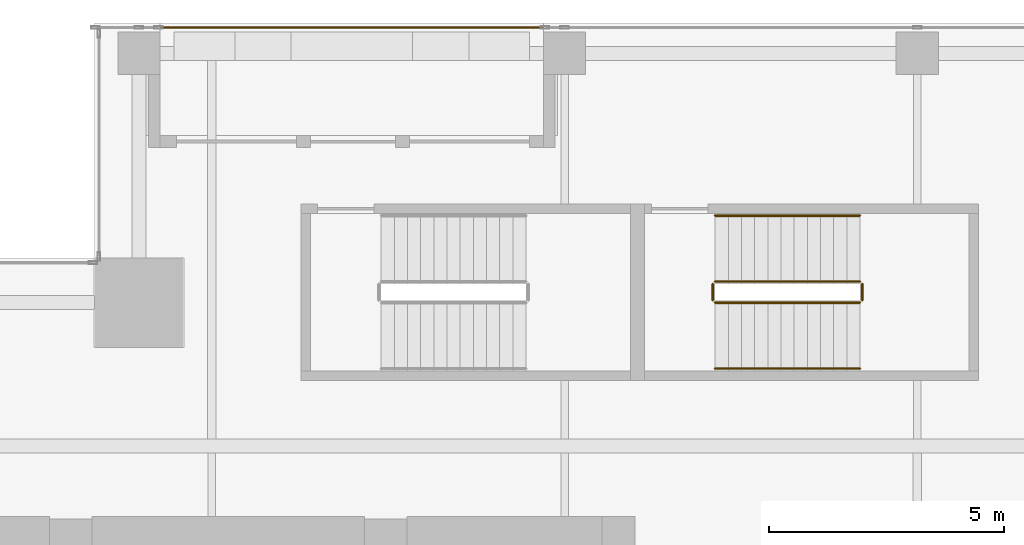
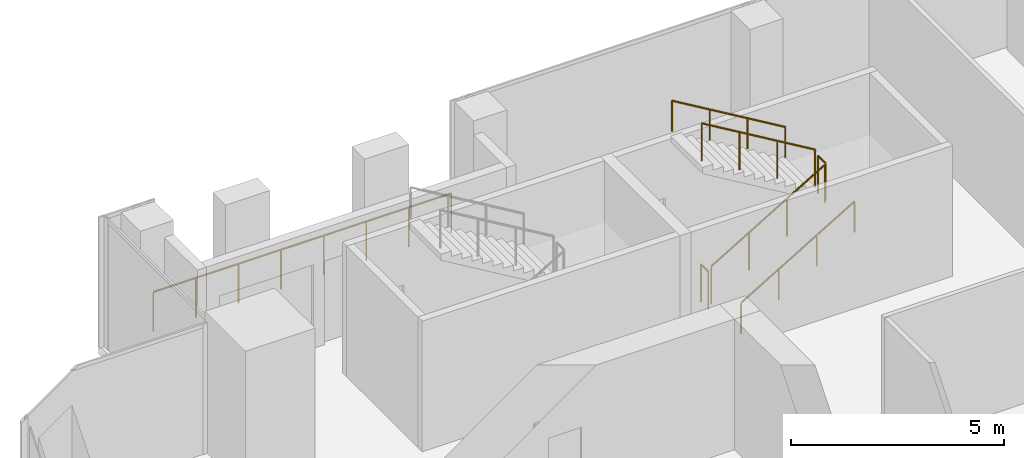
# One storey, part 34 of 35: 7 railings.
"""IFC4 building model written with IfcOpenShell, lengths in metres."""

from ifc_helpers import new_model, si_unit, direction, frame, origin, origin_2d, place, context, subcontext, project, spatial, circle, extrude, source, transform, mapped, material, type_object, element, save


model = new_model("IFC4")

# Units and contexts
model_context = context("Model", 3, precision=1e-05, world=origin(), true_north=direction((0.0, 1.0)))
body_context = subcontext(model_context, "Body", "Model", "MODEL_VIEW")
ifc_project = project(units=[si_unit("LENGTHUNIT", "METRE"), si_unit("AREAUNIT", "SQUARE_METRE"), si_unit("VOLUMEUNIT", "CUBIC_METRE"), si_unit("PLANEANGLEUNIT", "RADIAN"), si_unit("MASSUNIT", "GRAM", prefix="KILO")], contexts=[model_context])

# Site, building, storey
site_placement = place(None, origin())
site = spatial("IfcSite", under=ifc_project, at=site_placement, CompositionType="ELEMENT")
building_placement = place(site_placement, origin())
building = spatial("IfcBuilding", under=site, at=building_placement, Name="Khomas Fold Tower", CompositionType="ELEMENT")
storey_placement = place(building_placement, frame((0.0, 0.0, 262.199951171875)))
storey = spatial("IfcBuildingStorey", under=building, at=storey_placement, Name="L59", CompositionType="ELEMENT", Elevation=262.199951171875)

# Railings
ifc_material_1 = material(Name="Powder-coated steel", Category="steel")
railing_type_1 = type_object("IfcRailingType", Name="Balcony guard", PredefinedType="GUARDRAIL", material=ifc_material_1)
shared_shape_1 = source(origin(), body_context, "Body", "SweptSolid", [
    extrude(circle(Radius=0.02490234375, at=origin_2d()), frame((0.0, 0.0, 1.125), z_axis=(1.0, 0.0, 0.0), x_axis=(0.0, 1.0, 0.0)), (0.0, 0.0, 1.0), 8.090087890625),
    extrude(circle(Radius=0.02001953125, at=origin_2d()), origin(), (0.0, 0.0, 1.0), 1.099853515625),
    extrude(circle(Radius=0.02001953125, at=origin_2d()), frame((1.15576171875, 0.0, 0.0)), (0.0, 0.0, 1.0), 1.099853515625),
    extrude(circle(Radius=0.02001953125, at=origin_2d()), frame((2.3115234375, 0.0, 0.0)), (0.0, 0.0, 1.0), 1.099853515625),
    extrude(circle(Radius=0.02001953125, at=origin_2d()), frame((3.46728515625, 0.0, 0.0)), (0.0, 0.0, 1.0), 1.099853515625),
    extrude(circle(Radius=0.02001953125, at=origin_2d()), frame((4.622802734375, 0.0, 0.0)), (0.0, 0.0, 1.0), 1.099853515625),
    extrude(circle(Radius=0.02001953125, at=origin_2d()), frame((5.778564453125, 0.0, 0.0)), (0.0, 0.0, 1.0), 1.099853515625),
    extrude(circle(Radius=0.02001953125, at=origin_2d()), frame((6.934326171875, 0.0, 0.0)), (0.0, 0.0, 1.0), 1.099853515625),
    extrude(circle(Radius=0.02001953125, at=origin_2d()), frame((8.090087890625, 0.0, 0.0)), (0.0, 0.0, 1.0), 1.099853515625),
])
railing_1_placement = place(storey_placement, frame((10.929931640625, 49.39990234375, -0.044921875)))
element("IfcRailing", 1, at=railing_1_placement, inside=storey, type_object=railing_type_1, Name="Balcony guard BAL-L59-N1", PredefinedType="GUARDRAIL", context=body_context, shape_type="MappedRepresentation", body=[
    mapped(shared_shape_1, transform((0.0, 0.0, 0.0))),
])
ifc_material_2 = material(Name="Steel balustrade", Category="steel")
railing_type_2 = type_object("IfcRailingType", Name="Stair guard", PredefinedType="GUARDRAIL", material=ifc_material_2)
shared_shape_2 = source(origin(), body_context, "Body", "SweptSolid", [
    extrude(circle(Radius=0.02392578125, at=origin_2d()), frame((0.0, 0.0, 1.076171875), z_axis=(0.0, 1.0, 0.0), x_axis=(-1.0, 0.0, 0.0)), (0.0, 0.0, 1.0), 0.349853515625),
    extrude(circle(Radius=0.02099609375, at=origin_2d()), origin(), (0.0, 0.0, 1.0), 1.052001953125),
    extrude(circle(Radius=0.02099609375, at=origin_2d()), frame((0.0, 0.349853515625, 0.0)), (0.0, 0.0, 1.0), 1.052001953125),
])
for number, where, name in (
    (2, (25.830078125, 43.60009765625, 2.0), "L59 ST3 stair guard 2"),
    (3, (22.64990234375, 43.60009765625, 0.0), "L59 ST3 stair guard 4"),
):
    element("IfcRailing", number, at=place(storey_placement, frame(where)), inside=storey, type_object=railing_type_2, Name=name, PredefinedType="GUARDRAIL", context=body_context, shape_type="MappedRepresentation", body=[
        mapped(shared_shape_2, transform((0.0, 0.0, 0.0))),
    ])
shared_shape_3 = source(origin(), body_context, "Body", "SweptSolid", [
    extrude(circle(Radius=0.02392578125, at=origin_2d()), frame((0.0, 0.0, 1.076171875), z_axis=(0.859308565015, 0.0, 0.511457515432), x_axis=(0.0, 1.0, 0.0)), (0.0, 0.0, 1.0), 3.58447265625),
    extrude(circle(Radius=0.02099609375, at=origin_2d()), origin(), (0.0, 0.0, 1.0), 1.052001953125),
    extrude(circle(Radius=0.02099609375, at=origin_2d()), frame((1.026611328125, 0.0, 0.611083984375)), (0.0, 0.0, 1.0), 1.052001953125),
    extrude(circle(Radius=0.02099609375, at=origin_2d()), frame((2.053466796875, 0.0, 1.22216796875)), (0.0, 0.0, 1.0), 1.052001953125),
    extrude(circle(Radius=0.02099609375, at=origin_2d()), frame((3.080078125, 0.0, 1.833251953125)), (0.0, 0.0, 1.0), 1.052001953125),
])
railing_2_placement = place(storey_placement, frame((22.699951171875, 43.550048828125, 0.166748046875)))
element("IfcRailing", 4, at=railing_2_placement, inside=storey, type_object=railing_type_2, Name="L59 ST3 stair guard 1", PredefinedType="GUARDRAIL", context=body_context, shape_type="MappedRepresentation", body=[
    mapped(shared_shape_3, transform((0.0, 0.0, 0.0))),
])
shared_shape_4 = source(origin(), body_context, "Body", "SweptSolid", [
    extrude(circle(Radius=0.02392578125, at=origin_2d()), frame((0.0, 0.0, 1.076171875), z_axis=(-0.859308565015, 0.0, 0.511457515432), x_axis=(0.0, -1.0, 0.0)), (0.0, 0.0, 1.0), 3.58447265625),
    extrude(circle(Radius=0.02099609375, at=origin_2d()), origin(), (0.0, 0.0, 1.0), 1.052001953125),
    extrude(circle(Radius=0.02099609375, at=origin_2d()), frame((-1.026611328125, 0.0, 0.611083984375)), (0.0, 0.0, 1.0), 1.052001953125),
    extrude(circle(Radius=0.02099609375, at=origin_2d()), frame((-2.053466796875, 0.0, 1.22216796875)), (0.0, 0.0, 1.0), 1.052001953125),
    extrude(circle(Radius=0.02099609375, at=origin_2d()), frame((-3.080078125, 0.0, 1.833251953125)), (0.0, 0.0, 1.0), 1.052001953125),
])
railing_3_placement = place(storey_placement, frame((25.780029296875, 44.0, 2.166748046875)))
element("IfcRailing", 5, at=railing_3_placement, inside=storey, type_object=railing_type_2, Name="L59 ST3 stair guard 3", PredefinedType="GUARDRAIL", context=body_context, shape_type="MappedRepresentation", body=[
    mapped(shared_shape_4, transform((0.0, 0.0, 0.0))),
])
ifc_material_3 = material(Name="Steel handrail", Category="steel")
railing_type_3 = type_object("IfcRailingType", Name="Stair handrail", PredefinedType="HANDRAIL", material=ifc_material_3)
shared_shape_5 = source(origin(), body_context, "Body", "SweptSolid", [
    extrude(circle(Radius=0.02392578125, at=origin_2d()), frame((0.0, 0.0, 0.8759765625), z_axis=(0.859308565015, 0.0, 0.511457515432), x_axis=(0.0, 1.0, 0.0)), (0.0, 0.0, 1.0), 3.58447265625),
    extrude(circle(Radius=0.02099609375, at=origin_2d()), origin(), (0.0, 0.0, 1.0), 0.851806640625),
    extrude(circle(Radius=0.02099609375, at=origin_2d()), frame((1.026611328125, 0.0, 0.611083984375)), (0.0, 0.0, 1.0), 0.851806640625),
    extrude(circle(Radius=0.02099609375, at=origin_2d()), frame((2.053466796875, 0.0, 1.22216796875)), (0.0, 0.0, 1.0), 0.851806640625),
    extrude(circle(Radius=0.02099609375, at=origin_2d()), frame((3.080078125, 0.0, 1.833251953125)), (0.0, 0.0, 1.0), 0.851806640625),
])
railing_4_placement = place(storey_placement, frame((22.699951171875, 42.14990234375, 0.166748046875)))
element("IfcRailing", 6, at=railing_4_placement, inside=storey, type_object=railing_type_3, Name="L59 ST3 stair handrail 1", PredefinedType="HANDRAIL", context=body_context, shape_type="MappedRepresentation", body=[
    mapped(shared_shape_5, transform((0.0, 0.0, 0.0))),
])
shared_shape_6 = source(origin(), body_context, "Body", "SweptSolid", [
    extrude(circle(Radius=0.02392578125, at=origin_2d()), frame((0.0, 0.0, 0.8759765625), z_axis=(-0.859308565015, 0.0, 0.511457515432), x_axis=(0.0, -1.0, 0.0)), (0.0, 0.0, 1.0), 3.58447265625),
    extrude(circle(Radius=0.02099609375, at=origin_2d()), origin(), (0.0, 0.0, 1.0), 0.851806640625),
    extrude(circle(Radius=0.02099609375, at=origin_2d()), frame((-1.026611328125, 0.0, 0.611083984375)), (0.0, 0.0, 1.0), 0.851806640625),
    extrude(circle(Radius=0.02099609375, at=origin_2d()), frame((-2.053466796875, 0.0, 1.22216796875)), (0.0, 0.0, 1.0), 0.851806640625),
    extrude(circle(Radius=0.02099609375, at=origin_2d()), frame((-3.080078125, 0.0, 1.833251953125)), (0.0, 0.0, 1.0), 0.851806640625),
])
railing_5_placement = place(storey_placement, frame((25.780029296875, 45.39990234375, 2.166748046875)))
element("IfcRailing", 7, at=railing_5_placement, inside=storey, type_object=railing_type_3, Name="L59 ST3 stair handrail 2", PredefinedType="HANDRAIL", context=body_context, shape_type="MappedRepresentation", body=[
    mapped(shared_shape_6, transform((0.0, 0.0, 0.0))),
])

save(model, "model.ifc")
